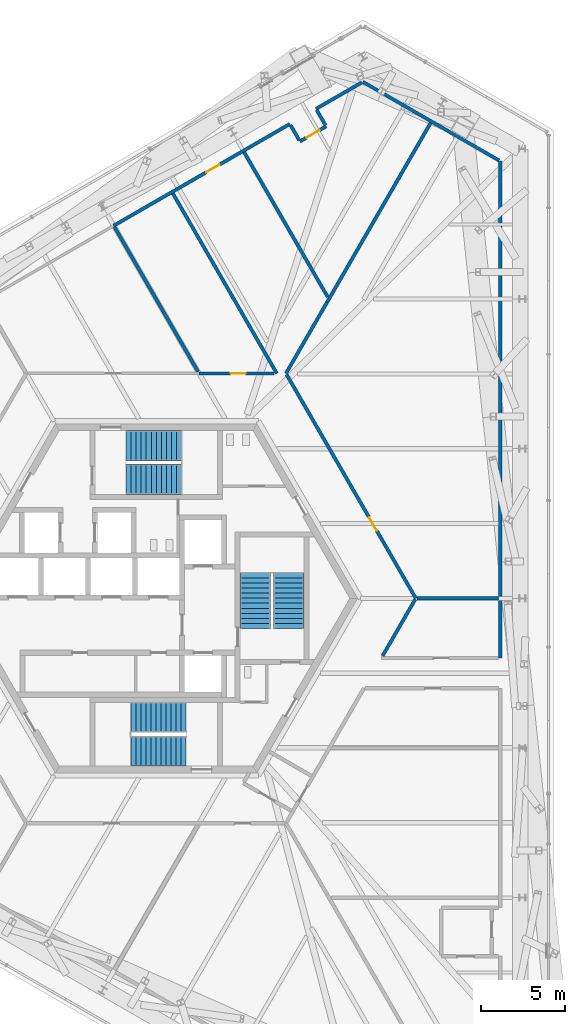
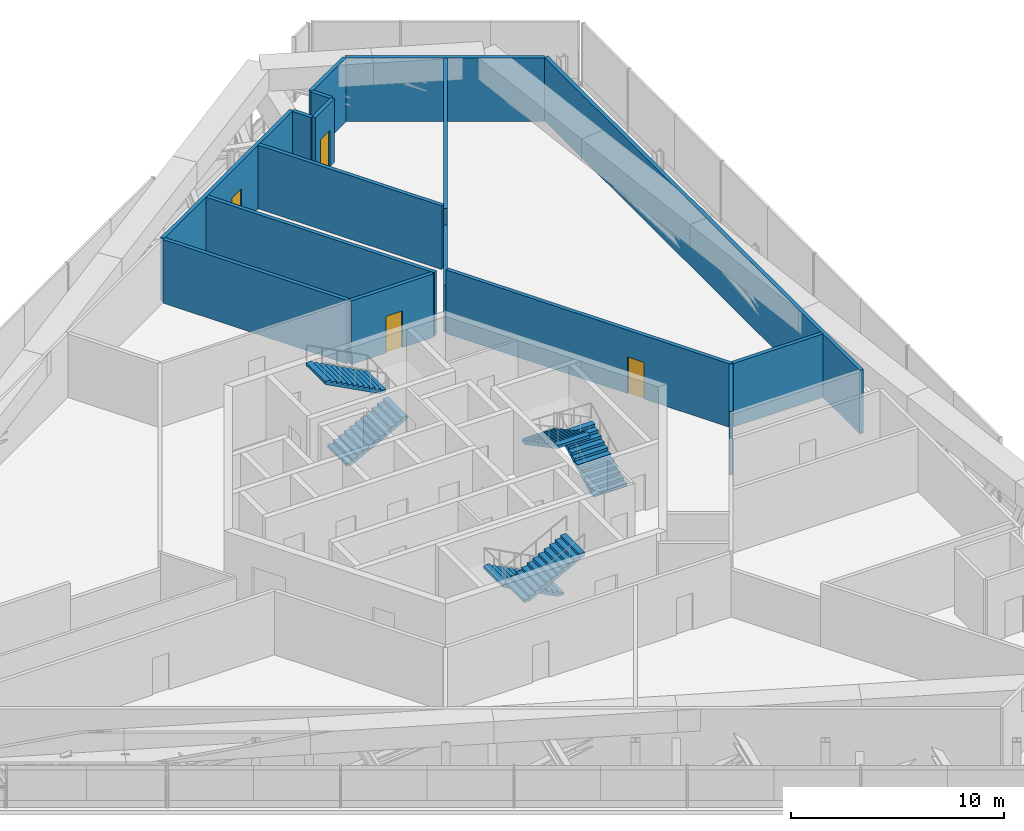
# One storey, part 17 of 23: 16 walls, 6 stair flights, 4 doors, 4 openings, 3 elements without a shape of their own.
"""IFC4 building model written with IfcOpenShell, lengths in metres."""

from ifc_helpers import new_model, si_unit, direction, frame, frame_2d, origin, place, context, subcontext, project, spatial, polyline, rectangle, outline, extrude, source, transform, mapped, material, layer, layer_set, type_object, element, fill, aggregate, save


model = new_model("IFC4")

# Units and contexts
model_context = context("Model", 3, precision=1e-05, world=origin(), true_north=direction((0.0, 1.0)))
body_context = subcontext(model_context, "Body", "Model", "MODEL_VIEW")
ifc_project = project(units=[si_unit("LENGTHUNIT", "METRE"), si_unit("AREAUNIT", "SQUARE_METRE"), si_unit("VOLUMEUNIT", "CUBIC_METRE"), si_unit("PLANEANGLEUNIT", "RADIAN"), si_unit("MASSUNIT", "GRAM", prefix="KILO")], contexts=[model_context])

# Site, building, storey
site_placement = place(None, origin())
site = spatial("IfcSite", under=ifc_project, at=site_placement, CompositionType="ELEMENT")
building_placement = place(site_placement, origin())
building = spatial("IfcBuilding", under=site, at=building_placement, Name="Triune Harvest Tower", CompositionType="ELEMENT")
storey_placement = place(building_placement, frame((0.0, 0.0, 54.699951171875)))
storey = spatial("IfcBuildingStorey", under=building, at=storey_placement, Name="L12", CompositionType="ELEMENT", Elevation=54.699951171875)

# Walls
ifc_material_1 = material(Name="Gypsum board on steel studs", Category="steel")
ifc_layer = layer(ifc_material_1, 0.199951171875)
ifc_layer_set = layer_set([ifc_layer], Name="Gypsum board on steel studs")
wall_type = type_object("IfcWallType", Name="Fire Wall 200 mm", PredefinedType="PARTITIONING", material=ifc_layer_set)
wall_1_placement = place(storey_placement, frame((-2.484375, 22.123046875, 0.0), z_axis=(0.0, 0.0, 1.0), x_axis=(0.499995420993, -0.866028047459, 0.0)))
element("IfcWall", 1, at=wall_1_placement, inside=storey, type_object=wall_type, Name="Partition L12 005", PredefinedType="PARTITIONING", context=body_context, shape_type="SweptSolid", body=[
    extrude(rectangle(XDim=9.96142578125, YDim=0.199951171875, at=frame_2d((4.980712890625, 0.0))), origin(), (0.0, 0.0, 1.0), 3.64013671875),
])
wall_2_placement = place(storey_placement, frame((0.947998046875, 24.197021484375, 0.0), z_axis=(0.0, 0.0, 1.0), x_axis=(0.499996866383, -0.866027212972, 0.0)))
element("IfcWall", 2, at=wall_2_placement, inside=storey, type_object=wall_type, Name="Partition L12 006", PredefinedType="PARTITIONING", context=body_context, shape_type="SweptSolid", body=[
    extrude(rectangle(XDim=12.47607421875, YDim=0.199951171875, at=frame_2d((6.238037109375, 0.0))), origin(), (0.0, 0.0, 1.0), 3.64013671875),
])
wall_3_placement = place(storey_placement, frame((12.30908203125, 30.756591796875, 0.0), z_axis=(0.0, 0.0, 1.0), x_axis=(0.866019339359, -0.500010503745, 0.0)))
element("IfcWall", 3, at=wall_3_placement, inside=storey, type_object=wall_type, Name="Partition L12 014", PredefinedType="PARTITIONING", context=body_context, shape_type="SweptSolid", body=[
    extrude(rectangle(XDim=9.366455078125, YDim=0.199951171875, at=frame_2d((4.68310546875, 0.0))), origin(), (0.0, 0.0, 1.0), 3.64013671875),
])
wall_4_placement = place(storey_placement, frame((15.5341796875, 0.0, 0.0), z_axis=(0.0, 0.0, 1.0), x_axis=(1.0, 0.0, 0.0)))
element("IfcWall", 4, at=wall_4_placement, inside=storey, type_object=wall_type, Name="Partition L12 026", PredefinedType="PARTITIONING", context=body_context, shape_type="SweptSolid", body=[
    extrude(rectangle(XDim=4.8671875, YDim=0.199951171875, at=frame_2d((2.43359375, 0.0))), origin(), (0.0, 0.0, 1.0), 3.64013671875),
])

# Wall, opening, door
wall_5_placement = place(storey_placement, frame((2.552978515625, 13.392333984375, 0.0), z_axis=(0.0, 0.0, 1.0), x_axis=(1.0, 0.0, 0.0)))
wall_5 = element("IfcWall", 5, at=wall_5_placement, inside=storey, type_object=wall_type, Name="Partition L12 028", PredefinedType="PARTITIONING", context=body_context, shape_type="SweptSolid", body=[
    extrude(rectangle(XDim=4.47900390625, YDim=0.199951171875, at=frame_2d((2.239501953125, 0.0))), origin(), (0.0, 0.0, 1.0), 3.64013671875),
])
opening_1_placement = place(wall_5_placement, frame((1.88330078125, 0.0, 0.0)))
opening_1 = element("IfcOpeningElement", 6, at=opening_1_placement, cuts=wall_5, Name="Opening L12-007", PredefinedType="OPENING", context=body_context, shape_type="SweptSolid", body=[
    extrude(rectangle(XDim=0.89990234375, YDim=2.10009765625, at=frame_2d((0.449951171875, 1.050048828125))), frame((0.0, 0.10986328125, 0.0), z_axis=(0.0, -1.0, 0.0), x_axis=(1.0, 0.0, 0.0)), (0.0, 0.0, 1.0), 0.219970703125),
])
ifc_material_2 = material(Name="Timber and steel door set", Category="steel")
door_type_1 = type_object("IfcDoorType", Name="Single leaf door FD60 left hand 900 x 2100", OperationType="SINGLE_SWING_LEFT", PredefinedType="DOOR", material=ifc_material_2)
door_1_placement = place(opening_1_placement, origin())
door_1 = element("IfcDoor", 7, at=door_1_placement, inside=storey, type_object=door_type_1, Name="Door L12-007 Telecom Plant Room 12.07", OperationType="SINGLE_SWING_LEFT", OverallHeight=2.10009765625, OverallWidth=0.89990234375, PredefinedType="DOOR", context=body_context, shape_type="SweptSolid", body=[
    extrude(rectangle(XDim=0.89990234375, YDim=2.10009765625, at=frame_2d((0.449951171875, 1.050048828125))), frame((0.0, 0.02490234375, 0.0), z_axis=(0.0, -1.0, 0.0), x_axis=(1.0, 0.0, 0.0)), (0.0, 0.0, 1.0), 0.050048828125),
])
fill(opening_1, door_1)

wall_6_placement = place(storey_placement, frame((8.56298828125, 27.2080078125, 0.0), z_axis=(0.0, 0.0, 1.0), x_axis=(0.866022985545, 0.500004188491, 0.0)))
wall_6 = element("IfcWall", 8, at=wall_6_placement, inside=storey, type_object=wall_type, Name="Partition L12 031", PredefinedType="PARTITIONING", context=body_context, shape_type="SweptSolid", body=[
    extrude(rectangle(XDim=1.80029296875, YDim=0.199951171875, at=frame_2d((0.900146484375, 0.0))), origin(), (0.0, 0.0, 1.0), 3.64013671875),
])
opening_2_placement = place(wall_6_placement, frame((0.449951171875, 0.0, 0.0)))
opening_2 = element("IfcOpeningElement", 9, at=opening_2_placement, cuts=wall_6, Name="Opening L12-006", PredefinedType="OPENING", context=body_context, shape_type="SweptSolid", body=[
    extrude(rectangle(XDim=0.89990234375, YDim=2.10009765625, at=frame_2d((0.449951171875, 1.050048828125))), frame((0.0, 0.10986328125, 0.0), z_axis=(0.0, -1.0, 0.0), x_axis=(1.0, 0.0, 0.0)), (0.0, 0.0, 1.0), 0.219970703125),
])
ifc_material_3 = material(Name="Timber and steel door set", Category="steel")
door_type_2 = type_object("IfcDoorType", Name="Single leaf door FD60 right hand 900 x 2100", OperationType="SINGLE_SWING_RIGHT", PredefinedType="DOOR", material=ifc_material_3)
door_2_placement = place(opening_2_placement, origin())
door_2 = element("IfcDoor", 10, at=door_2_placement, inside=storey, type_object=door_type_2, Name="Door L12-006 Pump Plant Room 12.06", OperationType="SINGLE_SWING_RIGHT", OverallHeight=2.10009765625, OverallWidth=0.89990234375, PredefinedType="DOOR", context=body_context, shape_type="SweptSolid", body=[
    extrude(rectangle(XDim=0.89990234375, YDim=2.10009765625, at=frame_2d((0.449951171875, 1.050048828125))), frame((0.0, 0.02490234375, 0.0), z_axis=(0.0, -1.0, 0.0), x_axis=(1.0, 0.0, 0.0)), (0.0, 0.0, 1.0), 0.050048828125),
])
fill(opening_2, door_2)

wall_7_placement = place(storey_placement, frame((-2.527099609375, 22.19091796875, 0.0), z_axis=(0.0, 0.0, 1.0), x_axis=(0.866030521239, 0.499991136203, 0.0)))
wall_7 = element("IfcWall", 11, at=wall_7_placement, inside=storey, type_object=wall_type, Name="Partition L12 034", PredefinedType="PARTITIONING", context=body_context, shape_type="SweptSolid", body=[
    extrude(rectangle(XDim=12.113037109375, YDim=0.199951171875, at=frame_2d((6.056640625, 0.0))), origin(), (0.0, 0.0, 1.0), 3.64013671875),
])
opening_3_placement = place(wall_7_placement, frame((6.362548828125, 0.0, 0.0)))
opening_3 = element("IfcOpeningElement", 12, at=opening_3_placement, cuts=wall_7, Name="Opening L12-008", PredefinedType="OPENING", context=body_context, shape_type="SweptSolid", body=[
    extrude(rectangle(XDim=0.89990234375, YDim=2.10009765625, at=frame_2d((0.449951171875, 1.050048828125))), frame((0.0, 0.10986328125, 0.0), z_axis=(0.0, -1.0, 0.0), x_axis=(1.0, 0.0, 0.0)), (0.0, 0.0, 1.0), 0.219970703125),
])
door_3_placement = place(opening_3_placement, origin())
door_3 = element("IfcDoor", 13, at=door_3_placement, inside=storey, type_object=door_type_1, Name="Door L12-008 Electrical Plant Room 12.08", OperationType="SINGLE_SWING_LEFT", OverallHeight=2.10009765625, OverallWidth=0.89990234375, PredefinedType="DOOR", context=body_context, shape_type="SweptSolid", body=[
    extrude(rectangle(XDim=0.89990234375, YDim=2.10009765625, at=frame_2d((0.449951171875, 1.050048828125))), frame((0.0, 0.02490234375, 0.0), z_axis=(0.0, -1.0, 0.0), x_axis=(1.0, 0.0, 0.0)), (0.0, 0.0, 1.0), 0.050048828125),
])
fill(opening_3, door_3)

# Walls
wall_8_placement = place(storey_placement, frame((9.52197265625, 29.147216796875, 0.0), z_axis=(0.0, 0.0, 1.0), x_axis=(0.866000904559, 0.500042431503, 0.0)))
element("IfcWall", 14, at=wall_8_placement, inside=storey, type_object=wall_type, Name="Partition L12 035", PredefinedType="PARTITIONING", context=body_context, shape_type="SweptSolid", body=[
    extrude(rectangle(XDim=3.148193359375, YDim=0.199951171875, at=frame_2d((1.57421875, 0.0))), origin(), (0.0, 0.0, 1.0), 3.64013671875),
])
wall_9_placement = place(storey_placement, frame((13.486572265625, -3.42529296875, 0.0), z_axis=(0.0, 0.0, 1.0), x_axis=(0.499998048424, 0.866026530524, 0.0)))
element("IfcWall", 15, at=wall_9_placement, inside=storey, type_object=wall_type, Name="Partition L12 037", PredefinedType="PARTITIONING", context=body_context, shape_type="SweptSolid", body=[
    extrude(rectangle(XDim=3.88525390625, YDim=0.199951171875, at=frame_2d((1.942626953125, 0.0))), origin(), (0.0, 0.0, 1.0), 3.64013671875),
])
wall_10_placement = place(storey_placement, frame((7.73193359375, 13.392333984375, 0.0), z_axis=(0.0, 0.0, 1.0), x_axis=(0.500002383003, 0.866024027953, 0.0)))
element("IfcWall", 16, at=wall_10_placement, inside=storey, type_object=wall_type, Name="Partition L12 041", PredefinedType="PARTITIONING", context=body_context, shape_type="SweptSolid", body=[
    extrude(rectangle(XDim=4.9072265625, YDim=0.199951171875, at=frame_2d((2.45361328125, 0.0))), origin(), (0.0, 0.0, 1.0), 2.69775390625),
])
wall_11_placement = place(storey_placement, frame((10.185546875, 17.64208984375, 0.0), z_axis=(0.0, 0.0, 1.0), x_axis=(0.499991319439, 0.866030415451, 0.0)))
element("IfcWall", 17, at=wall_11_placement, inside=storey, type_object=wall_type, Name="Partition L12 041a", PredefinedType="PARTITIONING", context=body_context, shape_type="SweptSolid", body=[
    extrude(rectangle(XDim=12.419189453125, YDim=0.199951171875, at=frame_2d((6.20947265625, 0.0))), origin(), (0.0, 0.0, 1.0), 3.64013671875),
])
wall_12_placement = place(storey_placement, frame((20.4814453125, -3.554931640625, 0.0), z_axis=(0.0, 0.0, 1.0), x_axis=(0.0, 1.0, 0.0)))
element("IfcWall", 18, at=wall_12_placement, inside=storey, type_object=wall_type, Name="Partition L12 045", PredefinedType="PARTITIONING", context=body_context, shape_type="SweptSolid", body=[
    extrude(rectangle(XDim=29.593017578125, YDim=0.199951171875, at=frame_2d((14.79638671875, 0.0))), origin(), (0.0, 0.0, 1.0), 3.64013671875),
])

# Wall, opening, door
shared_shape_1 = source(origin(), body_context, "Body", "SweptSolid", [
    extrude(rectangle(XDim=15.394287109375, YDim=0.199951171875, at=frame_2d((7.697265625, 0.0))), origin(), (0.0, 0.0, 1.0), 3.64013671875),
])
wall_13_placement = place(storey_placement, frame((7.76708984375, 13.331787109375, 0.0), z_axis=(0.0, 0.0, 1.0), x_axis=(0.49999564484, -0.866027918222, 0.0)))
wall_13 = element("IfcWall", 19, at=wall_13_placement, inside=storey, type_object=wall_type, Name="Partition L12 007", PredefinedType="PARTITIONING", context=body_context, shape_type="MappedRepresentation", body=[
    mapped(shared_shape_1, transform((0.0, 0.0, 0.0), scale=1.0)),
])
opening_4_placement = place(wall_13_placement, frame((9.843994140625, 0.0, 0.0)))
opening_4 = element("IfcOpeningElement", 20, at=opening_4_placement, cuts=wall_13, Name="Opening L12-005", PredefinedType="OPENING", context=body_context, shape_type="SweptSolid", body=[
    extrude(rectangle(XDim=0.89990234375, YDim=2.10009765625, at=frame_2d((0.449951171875, 1.050048828125))), frame((0.0, 0.10986328125, 0.0), z_axis=(0.0, -1.0, 0.0), x_axis=(1.0, 0.0, 0.0)), (0.0, 0.0, 1.0), 0.219970703125),
])
door_4_placement = place(opening_4_placement, origin())
door_4 = element("IfcDoor", 21, at=door_4_placement, inside=storey, type_object=door_type_2, Name="Door L12-005 Water Tank Room 12.05", OperationType="SINGLE_SWING_RIGHT", OverallHeight=2.10009765625, OverallWidth=0.89990234375, PredefinedType="DOOR", context=body_context, shape_type="SweptSolid", body=[
    extrude(rectangle(XDim=0.89990234375, YDim=2.10009765625, at=frame_2d((0.449951171875, 1.050048828125))), frame((0.0, 0.02490234375, 0.0), z_axis=(0.0, -1.0, 0.0), x_axis=(1.0, 0.0, 0.0)), (0.0, 0.0, 1.0), 0.050048828125),
])
fill(opening_4, door_4)

# Walls
shared_shape_2 = source(origin(), body_context, "Body", "SweptSolid", [
    extrude(rectangle(XDim=9.962890625, YDim=0.199951171875, at=frame_2d((4.9814453125, 0.0))), origin(), (0.0, 0.0, 1.0), 3.64013671875),
])
wall_14_placement = place(storey_placement, frame((5.23193359375, 26.578125, 0.0), z_axis=(0.0, 0.0, 1.0), x_axis=(0.49999750301, -0.866026845417, 0.0)))
element("IfcWall", 22, at=wall_14_placement, inside=storey, type_object=wall_type, Name="Partition L12 008", PredefinedType="PARTITIONING", context=body_context, shape_type="MappedRepresentation", body=[
    mapped(shared_shape_2, transform((0.0, 0.0, 0.0), scale=1.0)),
])
shared_shape_3 = source(origin(), body_context, "Body", "SweptSolid", [
    extrude(rectangle(XDim=1.0400390625, YDim=0.199951171875, at=frame_2d((0.52001953125, 0.0))), origin(), (0.0, 0.0, 1.0), 3.64013671875),
])
for number, where, z_axis, x_axis, name in (
    (23, (8.003173828125, 28.177978515625, 0.0), (0.0, 0.0, 1.0), (0.500027264788, -0.866009661879, 0.0), "Partition L12 009"),
    (24, (9.56201171875, 29.078125, 0.0), (0.0, 0.0, 1.0), (0.500027264788, -0.866009661879, 0.0), "Partition L12 010"),
):
    element("IfcWall", number, at=place(storey_placement, frame(where, z_axis=z_axis, x_axis=x_axis)), inside=storey, type_object=wall_type, Name=name, PredefinedType="PARTITIONING", context=body_context, shape_type="MappedRepresentation", body=[
        mapped(shared_shape_3, transform((0.0, 0.0, 0.0), scale=1.0)),
    ])

# Stair, stair flights
ifc_material_4 = material(Name="Concrete 40 MPa", Category="concrete")
stair_type = type_object("IfcStairType", Name="Exit stair 1800 half turn", PredefinedType="HALF_TURN_STAIR", material=ifc_material_4)
stair_1_placement = place(storey_placement, origin())
stair_1 = element("IfcStair", 25, at=stair_1_placement, inside=storey, type_object=stair_type, Name="Exit stair north", PredefinedType="HALF_TURN_STAIR")
ifc_material_5 = material(Name="Concrete 40 MPa", Category="concrete")
stair_flight_type = type_object("IfcStairFlightType", Name="Stair flight 1800", PredefinedType="STRAIGHT", material=ifc_material_5)
shared_shape_4 = source(origin(), body_context, "Body", "SweptSolid", [
    extrude(outline(polyline([(0.0, 0.0), (0.0, 0.158447265625), (0.300048828125, 0.158447265625), (0.300048828125, 0.316650390625), (0.60009765625, 0.316650390625), (0.60009765625, 0.47509765625), (0.89990234375, 0.47509765625), (0.89990234375, 0.63330078125), (1.199951171875, 0.63330078125), (1.199951171875, 0.791748046875), (1.5, 0.791748046875), (1.5, 0.949951171875), (1.800048828125, 0.949951171875), (1.800048828125, 1.1083984375), (2.10009765625, 1.1083984375), (2.10009765625, 1.2666015625), (2.39990234375, 1.2666015625), (2.39990234375, 1.425048828125), (2.699951171875, 1.425048828125), (2.699951171875, 1.583251953125), (3.0, 1.583251953125), (3.0, 1.74169921875), (3.300048828125, 1.74169921875), (3.300048828125, 1.89990234375), (3.300048828125, 1.572021484375), (0.321044921875, 0.0), (0.0, 0.0)])), frame((0.0, 0.89990234375, 0.0), z_axis=(0.0, -1.0, 0.0), x_axis=(1.0, 0.0, 0.0)), (0.0, 0.0, 1.0), 1.800048828125),
])
stair_flight_1_placement = place(storey_placement, frame((-1.7900390625, 7.090087890625, 0.0), z_axis=(0.0, 0.0, 1.0), x_axis=(1.0, 0.0, 0.0)))
stair_flight_1 = element("IfcStairFlight", 26, at=stair_flight_1_placement, type_object=stair_flight_type, Name="ST-1 flight 1", NumberOfRisers=12, NumberOfTreads=11, PredefinedType="STRAIGHT", RiserHeight=0.15833, TreadLength=0.3, context=body_context, shape_type="MappedRepresentation", body=[
    mapped(shared_shape_4, transform((0.0, 0.0, 0.0), scale=1.0)),
])
stair_flight_2_placement = place(storey_placement, frame((1.510009765625, 9.090087890625, 1.900146484375), z_axis=(0.0, 0.0, 1.0), x_axis=(-1.0, 0.0, 0.0)))
stair_flight_2 = element("IfcStairFlight", 27, at=stair_flight_2_placement, type_object=stair_flight_type, Name="ST-1 flight 2", NumberOfRisers=12, NumberOfTreads=11, PredefinedType="STRAIGHT", RiserHeight=0.15833, TreadLength=0.3, context=body_context, shape_type="MappedRepresentation", body=[
    mapped(shared_shape_4, transform((0.0, 0.0, 0.0), scale=1.0)),
])
aggregate(stair_1, [stair_flight_1, stair_flight_2])

stair_2_placement = place(storey_placement, origin())
stair_2 = element("IfcStair", 28, at=stair_2_placement, inside=storey, type_object=stair_type, Name="Exit stair south", PredefinedType="HALF_TURN_STAIR")
stair_flight_3_placement = place(storey_placement, frame((1.7900390625, -7.090087890625, 0.0), z_axis=(0.0, 0.0, 1.0), x_axis=(-1.0, 0.0, 0.0)))
stair_flight_3 = element("IfcStairFlight", 29, at=stair_flight_3_placement, type_object=stair_flight_type, Name="ST-2 flight 1", NumberOfRisers=12, NumberOfTreads=11, PredefinedType="STRAIGHT", RiserHeight=0.15833, TreadLength=0.3, context=body_context, shape_type="MappedRepresentation", body=[
    mapped(shared_shape_4, transform((0.0, 0.0, 0.0), scale=1.0)),
])
stair_flight_4_placement = place(storey_placement, frame((-1.510009765625, -9.090087890625, 1.900146484375), z_axis=(0.0, 0.0, 1.0), x_axis=(1.0, 0.0, 0.0)))
stair_flight_4 = element("IfcStairFlight", 30, at=stair_flight_4_placement, type_object=stair_flight_type, Name="ST-2 flight 2", NumberOfRisers=12, NumberOfTreads=11, PredefinedType="STRAIGHT", RiserHeight=0.15833, TreadLength=0.3, context=body_context, shape_type="MappedRepresentation", body=[
    mapped(shared_shape_4, transform((0.0, 0.0, 0.0), scale=1.0)),
])
aggregate(stair_2, [stair_flight_3, stair_flight_4])

stair_3_placement = place(storey_placement, origin())
stair_3 = element("IfcStair", 31, at=stair_3_placement, inside=storey, type_object=stair_type, Name="Exit stair east", PredefinedType="HALF_TURN_STAIR")
stair_flight_5_placement = place(storey_placement, frame((7.89990234375, -1.7900390625, 0.0), z_axis=(0.0, 0.0, 1.0), x_axis=(0.0, 1.0, 0.0)))
stair_flight_5 = element("IfcStairFlight", 32, at=stair_flight_5_placement, type_object=stair_flight_type, Name="ST-3 flight 1", NumberOfRisers=12, NumberOfTreads=11, PredefinedType="STRAIGHT", RiserHeight=0.15833, TreadLength=0.3, context=body_context, shape_type="MappedRepresentation", body=[
    mapped(shared_shape_4, transform((0.0, 0.0, 0.0), scale=1.0)),
])
stair_flight_6_placement = place(storey_placement, frame((5.89990234375, 1.510009765625, 1.900146484375), z_axis=(0.0, 0.0, 1.0), x_axis=(0.0, -1.0, 0.0)))
stair_flight_6 = element("IfcStairFlight", 33, at=stair_flight_6_placement, type_object=stair_flight_type, Name="ST-3 flight 2", NumberOfRisers=12, NumberOfTreads=11, PredefinedType="STRAIGHT", RiserHeight=0.15833, TreadLength=0.3, context=body_context, shape_type="MappedRepresentation", body=[
    mapped(shared_shape_4, transform((0.0, 0.0, 0.0), scale=1.0)),
])
aggregate(stair_3, [stair_flight_5, stair_flight_6])

save(model, "model.ifc")
